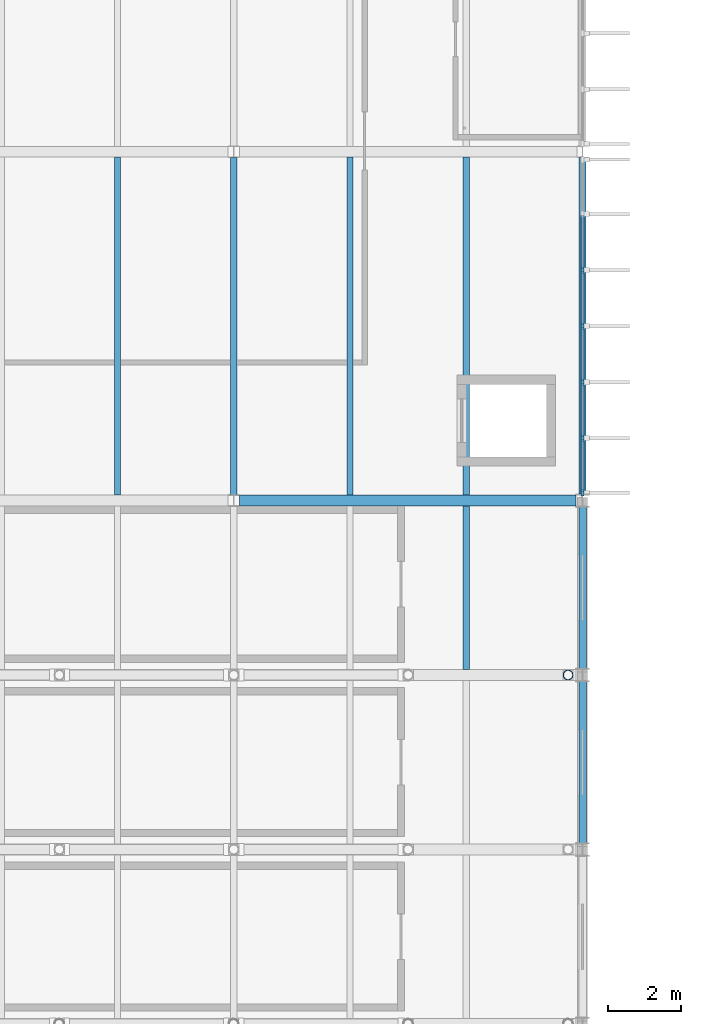
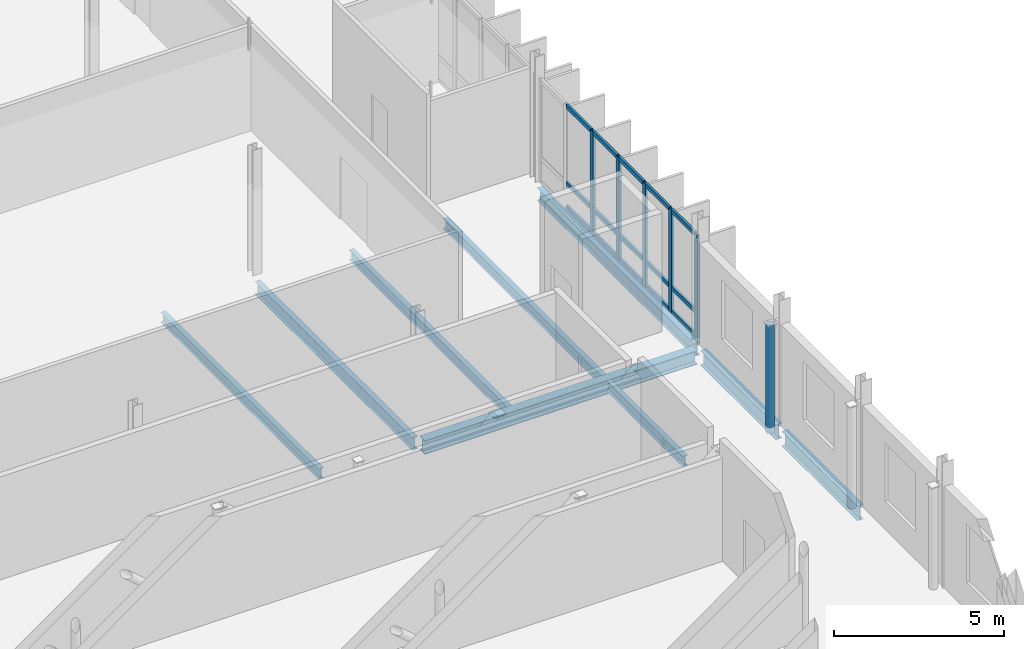
# One storey, part 29 of 110: 21 members, 9 beams, 1 element without a shape of its own.
"""IFC4 building model written with IfcOpenShell, lengths in metres."""

from ifc_helpers import new_model, si_unit, direction, frame, origin, origin_2d, place, context, subcontext, project, spatial, rectangle, hollow_circle, i_section, extrude, material, material_profile, profile_set, type_object, element, aggregate, save


model = new_model("IFC4")

# Units and contexts
model_context = context("Model", 3, precision=1e-05, world=origin(), true_north=direction((0.0, 1.0)))
body_context = subcontext(model_context, "Body", "Model", "MODEL_VIEW")
ifc_project = project(units=[si_unit("LENGTHUNIT", "METRE"), si_unit("AREAUNIT", "SQUARE_METRE"), si_unit("VOLUMEUNIT", "CUBIC_METRE"), si_unit("PLANEANGLEUNIT", "RADIAN"), si_unit("MASSUNIT", "GRAM", prefix="KILO")], contexts=[model_context])

# Site, building, storey
site_placement = place(None, origin())
site = spatial("IfcSite", under=ifc_project, at=site_placement, CompositionType="ELEMENT")
building_placement = place(site_placement, origin())
building = spatial("IfcBuilding", under=site, at=building_placement, Name="Dunescarp Central Library", CompositionType="ELEMENT")
storey_placement = place(building_placement, frame((0.0, 0.0, 9.60009765625)))
storey = spatial("IfcBuildingStorey", under=building, at=storey_placement, Name="L02", CompositionType="ELEMENT", Elevation=9.60009765625)

# Curtain wall, members
ifc_material_1 = material(Name="Marine-grade anodised aluminium 6063-T6", Category="aluminium")
curtain_wall_type = type_object("IfcCurtainWallType", Name="ARC-CW-STICK", PredefinedType="NOTDEFINED", material=ifc_material_1)
curtain_wall_placement = place(storey_placement, origin())
curtain_wall = element("IfcCurtainWall", 1, at=curtain_wall_placement, inside=storey, type_object=curtain_wall_type, Name="L02 curtain wall CW-V4-125", PredefinedType="NOTDEFINED")
ifc_material_profile_1 = material_profile(ifc_material_1, rectangle(XDim=0.080078125, YDim=0.179931640625, at=origin_2d()), Name="AL 80x180")
ifc_profile_set_1 = profile_set([ifc_material_profile_1], Name="Marine-grade anodised aluminium 6063-T6")
member_type_1 = type_object("IfcMemberType", Name="ARC-CWM-180", PredefinedType="MULLION", material=ifc_profile_set_1)
member_1_placement = place(storey_placement, frame((28.800048828125, 67.1416015625, 0.0), z_axis=(0.0, 0.0, 1.0), x_axis=(1.0, 0.0, 0.0)))
member_1 = element("IfcMember", 2, at=member_1_placement, type_object=member_type_1, Name="CW-V4-125 mullion 3", PredefinedType="MULLION", context=body_context, shape_type="SweptSolid", body=[
    extrude(rectangle(XDim=0.080078125, YDim=0.179931640625, at=origin_2d()), origin(), (0.0, 0.0, 1.0), 3.701904296875),
])
member_2_placement = place(storey_placement, frame((28.800048828125, 65.60009765625, 0.0), z_axis=(0.0, 0.0, 1.0), x_axis=(1.0, 0.0, 0.0)))
member_2 = element("IfcMember", 3, at=member_2_placement, type_object=member_type_1, Name="CW-V4-125 mullion 4", PredefinedType="MULLION", context=body_context, shape_type="SweptSolid", body=[
    extrude(rectangle(XDim=0.080078125, YDim=0.179931640625, at=origin_2d()), origin(), (0.0, 0.0, 1.0), 3.701904296875),
])
member_3_placement = place(storey_placement, frame((28.800048828125, 64.058349609375, 0.0), z_axis=(0.0, 0.0, 1.0), x_axis=(1.0, 0.0, 0.0)))
member_3 = element("IfcMember", 4, at=member_3_placement, type_object=member_type_1, Name="CW-V4-125 mullion 5", PredefinedType="MULLION", context=body_context, shape_type="SweptSolid", body=[
    extrude(rectangle(XDim=0.080078125, YDim=0.179931640625, at=origin_2d()), origin(), (0.0, 0.0, 1.0), 3.701904296875),
])
member_4_placement = place(storey_placement, frame((28.800048828125, 62.5166015625, 0.0), z_axis=(0.0, 0.0, 1.0), x_axis=(1.0, 0.0, 0.0)))
member_4 = element("IfcMember", 5, at=member_4_placement, type_object=member_type_1, Name="CW-V4-125 mullion 6", PredefinedType="MULLION", context=body_context, shape_type="SweptSolid", body=[
    extrude(rectangle(XDim=0.080078125, YDim=0.179931640625, at=origin_2d()), origin(), (0.0, 0.0, 1.0), 3.701904296875),
])
member_5_placement = place(storey_placement, frame((28.800048828125, 61.014892578125, 0.0), z_axis=(0.0, 0.0, 1.0), x_axis=(1.0, 0.0, 0.0)))
member_5 = element("IfcMember", 6, at=member_5_placement, type_object=member_type_1, Name="CW-V4-125 mullion 7", PredefinedType="MULLION", context=body_context, shape_type="SweptSolid", body=[
    extrude(rectangle(XDim=0.080078125, YDim=0.179931640625, at=origin_2d()), origin(), (0.0, 0.0, 1.0), 3.701904296875),
])
ifc_material_profile_2 = material_profile(ifc_material_1, rectangle(XDim=0.080078125, YDim=0.14990234375, at=origin_2d()), Name="AL 80x150")
ifc_profile_set_2 = profile_set([ifc_material_profile_2], Name="Marine-grade anodised aluminium 6063-T6")
member_type_2 = type_object("IfcMemberType", Name="ARC-CWT-150", PredefinedType="USERDEFINED", material=ifc_profile_set_2)
member_6_placement = place(storey_placement, frame((28.800048828125, 68.643310546875, 0.039794921875), z_axis=(0.0, -1.0, 0.0), x_axis=(1.0, 0.0, 0.0)))
member_6 = element("IfcMember", 7, at=member_6_placement, type_object=member_type_2, Name="CW-V4-125 transom 2.1", ObjectType="TRANSOM", PredefinedType="USERDEFINED", context=body_context, shape_type="SweptSolid", body=[
    extrude(rectangle(XDim=0.080078125, YDim=0.14990234375, at=origin_2d()), origin(), (0.0, 0.0, 1.0), 1.461669921875),
])
member_7_placement = place(storey_placement, frame((28.800048828125, 68.643310546875, 0.89990234375), z_axis=(0.0, -1.0, 0.0), x_axis=(1.0, 0.0, 0.0)))
member_7 = element("IfcMember", 8, at=member_7_placement, type_object=member_type_2, Name="CW-V4-125 transom 2.2", ObjectType="TRANSOM", PredefinedType="USERDEFINED", context=body_context, shape_type="SweptSolid", body=[
    extrude(rectangle(XDim=0.080078125, YDim=0.14990234375, at=origin_2d()), origin(), (0.0, 0.0, 1.0), 1.461669921875),
])
member_8_placement = place(storey_placement, frame((28.800048828125, 68.643310546875, 3.661865234375), z_axis=(0.0, -1.0, 0.0), x_axis=(1.0, 0.0, 0.0)))
member_8 = element("IfcMember", 9, at=member_8_placement, type_object=member_type_2, Name="CW-V4-125 transom 2.3", ObjectType="TRANSOM", PredefinedType="USERDEFINED", context=body_context, shape_type="SweptSolid", body=[
    extrude(rectangle(XDim=0.080078125, YDim=0.14990234375, at=origin_2d()), origin(), (0.0, 0.0, 1.0), 1.461669921875),
])
member_9_placement = place(storey_placement, frame((28.800048828125, 67.1015625, 0.039794921875), z_axis=(0.0, -1.0, 0.0), x_axis=(1.0, 0.0, 0.0)))
member_9 = element("IfcMember", 10, at=member_9_placement, type_object=member_type_2, Name="CW-V4-125 transom 3.1", ObjectType="TRANSOM", PredefinedType="USERDEFINED", context=body_context, shape_type="SweptSolid", body=[
    extrude(rectangle(XDim=0.080078125, YDim=0.14990234375, at=origin_2d()), origin(), (0.0, 0.0, 1.0), 1.461669921875),
])
member_10_placement = place(storey_placement, frame((28.800048828125, 67.1015625, 0.89990234375), z_axis=(0.0, -1.0, 0.0), x_axis=(1.0, 0.0, 0.0)))
member_10 = element("IfcMember", 11, at=member_10_placement, type_object=member_type_2, Name="CW-V4-125 transom 3.2", ObjectType="TRANSOM", PredefinedType="USERDEFINED", context=body_context, shape_type="SweptSolid", body=[
    extrude(rectangle(XDim=0.080078125, YDim=0.14990234375, at=origin_2d()), origin(), (0.0, 0.0, 1.0), 1.461669921875),
])
member_11_placement = place(storey_placement, frame((28.800048828125, 67.1015625, 3.661865234375), z_axis=(0.0, -1.0, 0.0), x_axis=(1.0, 0.0, 0.0)))
member_11 = element("IfcMember", 12, at=member_11_placement, type_object=member_type_2, Name="CW-V4-125 transom 3.3", ObjectType="TRANSOM", PredefinedType="USERDEFINED", context=body_context, shape_type="SweptSolid", body=[
    extrude(rectangle(XDim=0.080078125, YDim=0.14990234375, at=origin_2d()), origin(), (0.0, 0.0, 1.0), 1.461669921875),
])
member_12_placement = place(storey_placement, frame((28.800048828125, 65.56005859375, 0.039794921875), z_axis=(0.0, -1.0, 0.0), x_axis=(1.0, 0.0, 0.0)))
member_12 = element("IfcMember", 13, at=member_12_placement, type_object=member_type_2, Name="CW-V4-125 transom 4.1", ObjectType="TRANSOM", PredefinedType="USERDEFINED", context=body_context, shape_type="SweptSolid", body=[
    extrude(rectangle(XDim=0.080078125, YDim=0.14990234375, at=origin_2d()), origin(), (0.0, 0.0, 1.0), 1.461669921875),
])
member_13_placement = place(storey_placement, frame((28.800048828125, 65.56005859375, 0.89990234375), z_axis=(0.0, -1.0, 0.0), x_axis=(1.0, 0.0, 0.0)))
member_13 = element("IfcMember", 14, at=member_13_placement, type_object=member_type_2, Name="CW-V4-125 transom 4.2", ObjectType="TRANSOM", PredefinedType="USERDEFINED", context=body_context, shape_type="SweptSolid", body=[
    extrude(rectangle(XDim=0.080078125, YDim=0.14990234375, at=origin_2d()), origin(), (0.0, 0.0, 1.0), 1.461669921875),
])
member_14_placement = place(storey_placement, frame((28.800048828125, 65.56005859375, 3.661865234375), z_axis=(0.0, -1.0, 0.0), x_axis=(1.0, 0.0, 0.0)))
member_14 = element("IfcMember", 15, at=member_14_placement, type_object=member_type_2, Name="CW-V4-125 transom 4.3", ObjectType="TRANSOM", PredefinedType="USERDEFINED", context=body_context, shape_type="SweptSolid", body=[
    extrude(rectangle(XDim=0.080078125, YDim=0.14990234375, at=origin_2d()), origin(), (0.0, 0.0, 1.0), 1.461669921875),
])
member_15_placement = place(storey_placement, frame((28.800048828125, 64.018310546875, 0.039794921875), z_axis=(0.0, -1.0, 0.0), x_axis=(1.0, 0.0, 0.0)))
member_15 = element("IfcMember", 16, at=member_15_placement, type_object=member_type_2, Name="CW-V4-125 transom 5.1", ObjectType="TRANSOM", PredefinedType="USERDEFINED", context=body_context, shape_type="SweptSolid", body=[
    extrude(rectangle(XDim=0.080078125, YDim=0.14990234375, at=origin_2d()), origin(), (0.0, 0.0, 1.0), 1.461669921875),
])
member_16_placement = place(storey_placement, frame((28.800048828125, 64.018310546875, 0.89990234375), z_axis=(0.0, -1.0, 0.0), x_axis=(1.0, 0.0, 0.0)))
member_16 = element("IfcMember", 17, at=member_16_placement, type_object=member_type_2, Name="CW-V4-125 transom 5.2", ObjectType="TRANSOM", PredefinedType="USERDEFINED", context=body_context, shape_type="SweptSolid", body=[
    extrude(rectangle(XDim=0.080078125, YDim=0.14990234375, at=origin_2d()), origin(), (0.0, 0.0, 1.0), 1.461669921875),
])
member_17_placement = place(storey_placement, frame((28.800048828125, 64.018310546875, 3.661865234375), z_axis=(0.0, -1.0, 0.0), x_axis=(1.0, 0.0, 0.0)))
member_17 = element("IfcMember", 18, at=member_17_placement, type_object=member_type_2, Name="CW-V4-125 transom 5.3", ObjectType="TRANSOM", PredefinedType="USERDEFINED", context=body_context, shape_type="SweptSolid", body=[
    extrude(rectangle(XDim=0.080078125, YDim=0.14990234375, at=origin_2d()), origin(), (0.0, 0.0, 1.0), 1.461669921875),
])
member_18_placement = place(storey_placement, frame((28.800048828125, 62.4765625, 0.039794921875), z_axis=(0.0, -1.0, 0.0), x_axis=(1.0, 0.0, 0.0)))
member_18 = element("IfcMember", 19, at=member_18_placement, type_object=member_type_2, Name="CW-V4-125 transom 6.1", ObjectType="TRANSOM", PredefinedType="USERDEFINED", context=body_context, shape_type="SweptSolid", body=[
    extrude(rectangle(XDim=0.080078125, YDim=0.14990234375, at=origin_2d()), origin(), (0.0, 0.0, 1.0), 1.421630859375),
])
member_19_placement = place(storey_placement, frame((28.800048828125, 62.4765625, 0.89990234375), z_axis=(0.0, -1.0, 0.0), x_axis=(1.0, 0.0, 0.0)))
member_19 = element("IfcMember", 20, at=member_19_placement, type_object=member_type_2, Name="CW-V4-125 transom 6.2", ObjectType="TRANSOM", PredefinedType="USERDEFINED", context=body_context, shape_type="SweptSolid", body=[
    extrude(rectangle(XDim=0.080078125, YDim=0.14990234375, at=origin_2d()), origin(), (0.0, 0.0, 1.0), 1.421630859375),
])
member_20_placement = place(storey_placement, frame((28.800048828125, 62.4765625, 3.661865234375), z_axis=(0.0, -1.0, 0.0), x_axis=(1.0, 0.0, 0.0)))
member_20 = element("IfcMember", 21, at=member_20_placement, type_object=member_type_2, Name="CW-V4-125 transom 6.3", ObjectType="TRANSOM", PredefinedType="USERDEFINED", context=body_context, shape_type="SweptSolid", body=[
    extrude(rectangle(XDim=0.080078125, YDim=0.14990234375, at=origin_2d()), origin(), (0.0, 0.0, 1.0), 1.421630859375),
])
aggregate(curtain_wall, [member_1, member_2, member_3, member_4, member_5, member_6, member_7, member_8, member_9, member_10, member_11, member_12, member_13, member_14, member_15, member_16, member_17, member_18, member_19, member_20])

# Beams
ifc_material_2 = material(Name="Steel S355JR", Category="steel")
ifc_material_profile_3 = material_profile(ifc_material_2, i_section(OverallWidth=0.300048828125, OverallDepth=0.5, WebThickness=0.014404296875, FlangeThickness=0.028076171875, at=origin_2d()), Name="HEB 500")
ifc_profile_set_3 = profile_set([ifc_material_profile_3], Name="Steel S355JR")
beam_type_1 = type_object("IfcBeamType", Name="STR-BM-HEB500", PredefinedType="BEAM", material=ifc_profile_set_3)
beam_1_placement = place(storey_placement, frame((19.35302734375, 60.800048828125, -0.460205078125), z_axis=(1.0, 0.0, 0.0), x_axis=(0.0, 1.0, 0.0)))
element("IfcBeam", 22, at=beam_1_placement, inside=storey, type_object=beam_type_1, Name="L02 girder BM-L02-1016", PredefinedType="BEAM", context=body_context, shape_type="SweptSolid", body=[
    extrude(i_section(OverallWidth=0.300048828125, OverallDepth=0.5, WebThickness=0.014404296875, FlangeThickness=0.028076171875, at=origin_2d()), origin(), (0.0, 0.0, 1.0), 9.263916015625),
])
ifc_material_profile_4 = material_profile(ifc_material_2, i_section(OverallWidth=0.18994140625, OverallDepth=0.453369140625, WebThickness=0.008544921875, FlangeThickness=0.0126953125, at=origin_2d()), Name="UB 457x191x67")
ifc_profile_set_4 = profile_set([ifc_material_profile_4], Name="Steel S355JR")
beam_type_2 = type_object("IfcBeamType", Name="STR-BM-UB457", PredefinedType="BEAM", material=ifc_profile_set_4)
beam_2_placement = place(storey_placement, frame((19.199951171875, 60.9609375, -0.43701171875), z_axis=(0.0, 1.0, 0.0), x_axis=(-1.0, 0.0, 0.0)))
element("IfcBeam", 23, at=beam_2_placement, inside=storey, type_object=beam_type_2, Name="L02 girder BM-L02-1005", PredefinedType="BEAM", context=body_context, shape_type="SweptSolid", body=[
    extrude(i_section(OverallWidth=0.18994140625, OverallDepth=0.453369140625, WebThickness=0.008544921875, FlangeThickness=0.0126953125, at=origin_2d()), origin(), (0.0, 0.0, 1.0), 9.278076171875),
])
beam_3_placement = place(storey_placement, frame((28.800048828125, 60.98095703125, -0.43701171875), z_axis=(0.0, 1.0, 0.0), x_axis=(-1.0, 0.0, 0.0)))
element("IfcBeam", 24, at=beam_3_placement, inside=storey, type_object=beam_type_2, Name="L02 girder BM-L02-1018", PredefinedType="BEAM", context=body_context, shape_type="SweptSolid", body=[
    extrude(i_section(OverallWidth=0.18994140625, OverallDepth=0.453369140625, WebThickness=0.008544921875, FlangeThickness=0.0126953125, at=origin_2d()), origin(), (0.0, 0.0, 1.0), 9.258056640625),
])
ifc_material_profile_5 = material_profile(ifc_material_2, i_section(OverallWidth=0.209228515625, OverallDepth=0.533203125, WebThickness=0.010009765625, FlangeThickness=0.015625, at=origin_2d()), Name="UB 533x210x92")
ifc_profile_set_5 = profile_set([ifc_material_profile_5], Name="Steel S355JR")
beam_type_3 = type_object("IfcBeamType", Name="STR-BM-UB533", PredefinedType="BEAM", material=ifc_profile_set_5)
for number, where, z_axis, x_axis, name in (
    (25, (28.800048828125, 51.381103515625, -0.47607421875), (0.0, 1.0, 0.0), (-1.0, 0.0, 0.0), "L02 edge girder BM-L02-1355"),
    (26, (28.800048828125, 56.180908203125, -0.47607421875), (0.0, 1.0, 0.0), (-1.0, 0.0, 0.0), "L02 edge girder BM-L02-1356"),
):
    element("IfcBeam", number, at=place(storey_placement, frame(where, z_axis=z_axis, x_axis=x_axis)), inside=storey, type_object=beam_type_3, Name=name, PredefinedType="BEAM", context=body_context, shape_type="SweptSolid", body=[
        extrude(i_section(OverallWidth=0.209228515625, OverallDepth=0.533203125, WebThickness=0.010009765625, FlangeThickness=0.015625, at=origin_2d()), origin(), (0.0, 0.0, 1.0), 4.43798828125),
    ])
ifc_material_profile_6 = material_profile(ifc_material_2, i_section(OverallWidth=0.169921875, OverallDepth=0.360107421875, WebThickness=0.008056640625, FlangeThickness=0.0126953125, at=origin_2d()), Name="IPE 360")
ifc_profile_set_6 = profile_set([ifc_material_profile_6], Name="Steel S355JR")
beam_type_4 = type_object("IfcBeamType", Name="STR-JS-IPE360", PredefinedType="JOIST", material=ifc_profile_set_6)
for number, where, z_axis, x_axis, name in (
    (27, (16.0, 60.947998046875, -0.39013671875), (0.0, 1.0, 0.0), (-1.0, 0.0, 0.0), "L02 joist JS-L02-1007"),
    (28, (22.39990234375, 60.947998046875, -0.39013671875), (0.0, 1.0, 0.0), (-1.0, 0.0, 0.0), "L02 joist JS-L02-1019"),
    (29, (25.60009765625, 60.947998046875, -0.39013671875), (0.0, 1.0, 0.0), (-1.0, 0.0, 0.0), "L02 joist JS-L02-1020"),
):
    element("IfcBeam", number, at=place(storey_placement, frame(where, z_axis=z_axis, x_axis=x_axis)), inside=storey, type_object=beam_type_4, Name=name, PredefinedType="JOIST", context=body_context, shape_type="SweptSolid", body=[
        extrude(i_section(OverallWidth=0.169921875, OverallDepth=0.360107421875, WebThickness=0.008056640625, FlangeThickness=0.0126953125, at=origin_2d()), origin(), (0.0, 0.0, 1.0), 9.303955078125),
    ])
beam_4_placement = place(storey_placement, frame((25.60009765625, 56.14794921875, -0.39013671875), z_axis=(0.0, 1.0, 0.0), x_axis=(-1.0, 0.0, 0.0)))
element("IfcBeam", 30, at=beam_4_placement, inside=storey, type_object=beam_type_4, Name="L02 joist JS-L02-1388", PredefinedType="JOIST", context=body_context, shape_type="SweptSolid", body=[
    extrude(i_section(OverallWidth=0.169921875, OverallDepth=0.360107421875, WebThickness=0.008056640625, FlangeThickness=0.0126953125, at=origin_2d()), origin(), (0.0, 0.0, 1.0), 4.504150390625),
])

# Member
ifc_material_3 = material(Name="Steel S355J0", Category="steel")
ifc_material_profile_7 = material_profile(ifc_material_3, hollow_circle(Radius=0.136474609375, WallThickness=0.010009765625, at=origin_2d()), Name="CHS 273x10")
ifc_profile_set_7 = profile_set([ifc_material_profile_7], Name="Steel S355J0")
member_type_3 = type_object("IfcMemberType", Name="STR-TT-VERT", PredefinedType="CHORD", material=ifc_profile_set_7)
member_21_placement = place(storey_placement, frame((28.39990234375, 56.0, -0.215087890625), z_axis=(0.0, 0.0, 1.0), x_axis=(1.0, 0.0, 0.0)))
element("IfcMember", 31, at=member_21_placement, inside=storey, type_object=member_type_3, Name="Transfer truss TT-V4-3 vertical 7", PredefinedType="CHORD", context=body_context, shape_type="SweptSolid", body=[
    extrude(hollow_circle(Radius=0.136474609375, WallThickness=0.010009765625, at=origin_2d()), origin(), (0.0, 0.0, 1.0), 3.8798828125),
])

save(model, "model.ifc")
